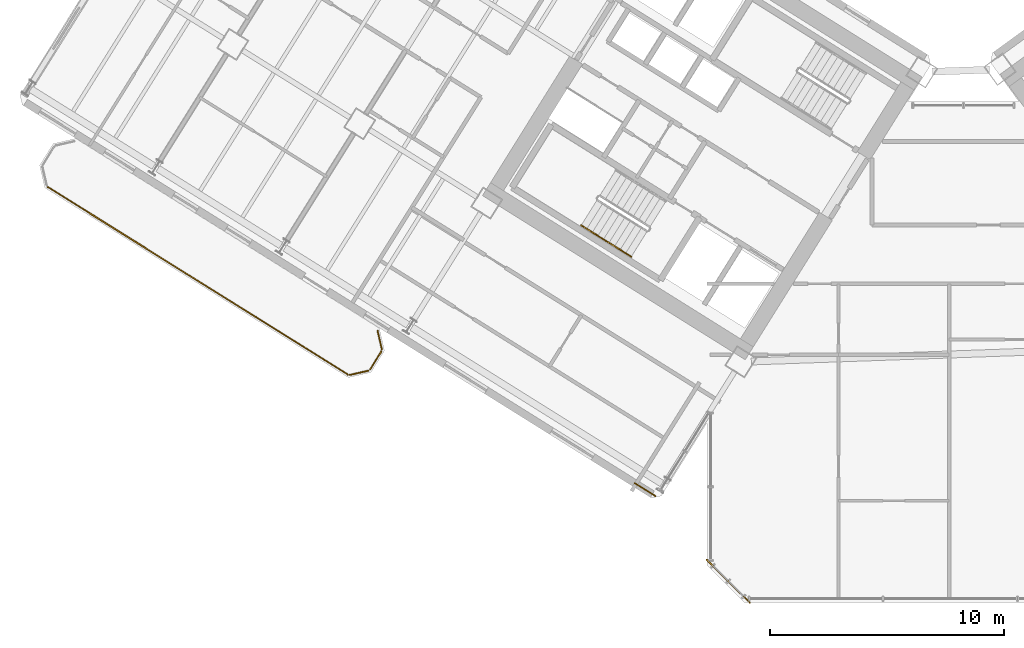
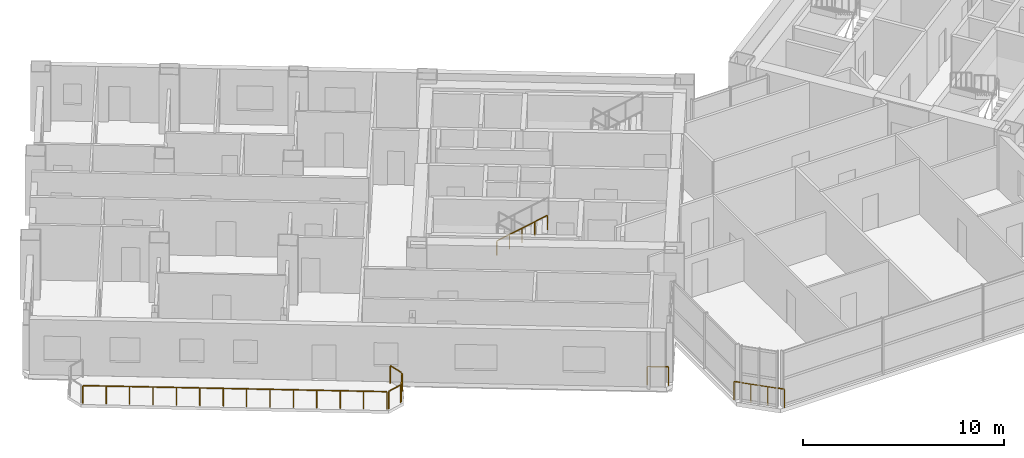
# One storey, part 21 of 24: 8 railings.
"""IFC4 building model written with IfcOpenShell, lengths in metres."""

from ifc_helpers import new_model, si_unit, direction, frame, origin, origin_2d, place, context, subcontext, project, spatial, rectangle, extrude, source, transform, mapped, material, type_object, element, save


model = new_model("IFC4")

# Units and contexts
model_context = context("Model", 3, precision=1e-05, world=origin(), true_north=direction((0.0, 1.0)))
body_context = subcontext(model_context, "Body", "Model", "MODEL_VIEW")
ifc_project = project(units=[si_unit("LENGTHUNIT", "METRE"), si_unit("AREAUNIT", "SQUARE_METRE"), si_unit("VOLUMEUNIT", "CUBIC_METRE"), si_unit("PLANEANGLEUNIT", "RADIAN"), si_unit("MASSUNIT", "GRAM", prefix="KILO")], contexts=[model_context])

# Site, building, storey
site_placement = place(None, origin())
site = spatial("IfcSite", under=ifc_project, at=site_placement, CompositionType="ELEMENT")
building_placement = place(site_placement, origin())
building = spatial("IfcBuilding", under=site, at=building_placement, Name="Tlacorven Tower", CompositionType="ELEMENT")
storey_placement = place(building_placement, frame((0.0, 0.0, 45.60009765625)))
storey = spatial("IfcBuildingStorey", under=building, at=storey_placement, Name="L11", CompositionType="ELEMENT", Elevation=45.60009765625)

# Railings
ifc_material = material(Name="Aluminium and painted steel balustrade", Category="steel")
railing_type_1 = type_object("IfcRailingType", Name="RL-BAL-1100", PredefinedType="BALUSTRADE", material=ifc_material)
shared_shape_1 = source(origin(), body_context, "Body", "SweptSolid", [
    extrude(rectangle(XDim=0.048095703125, YDim=0.048095703125, at=origin_2d()), frame((0.0, 0.0, 1.076171875), z_axis=(0.225058334816, -0.974345290916, 0.0), x_axis=(0.974345290916, 0.225058334816, 0.0)), (0.0, 0.0, 1.0), 0.80712890625),
    extrude(rectangle(XDim=0.0419921875, YDim=0.0419921875, at=origin_2d()), origin(), (0.0, 0.0, 1.0), 1.052001953125),
    extrude(rectangle(XDim=0.0419921875, YDim=0.0419921875, at=origin_2d()), frame((0.181640625, -0.786376953125, 0.0)), (0.0, 0.0, 1.0), 1.052001953125),
])
railing_1_placement = place(storey_placement, frame((17.5244140625, 13.413330078125, 0.0)))
element("IfcRailing", 1, at=railing_1_placement, inside=storey, type_object=railing_type_1, Name="BAL-L11-W-OUT Guard Railing 1", PredefinedType="BALUSTRADE", context=body_context, shape_type="MappedRepresentation", body=[
    mapped(shared_shape_1, transform((0.0, 0.0, 0.0), scale=1.0)),
])
shared_shape_2 = source(origin(), body_context, "Body", "SweptSolid", [
    extrude(rectangle(XDim=0.048095703125, YDim=0.048095703125, at=origin_2d()), frame((0.0, 0.0, 1.076171875), z_axis=(-0.52987865805, -0.848073468364, 0.0), x_axis=(0.848073468364, -0.52987865805, 0.0)), (0.0, 0.0, 1.0), 0.912353515625),
    extrude(rectangle(XDim=0.0419921875, YDim=0.0419921875, at=origin_2d()), origin(), (0.0, 0.0, 1.0), 1.052001953125),
    extrude(rectangle(XDim=0.0419921875, YDim=0.0419921875, at=origin_2d()), frame((-0.4833984375, -0.773681640625, 0.0)), (0.0, 0.0, 1.0), 1.052001953125),
])
railing_2_placement = place(storey_placement, frame((17.690673828125, 12.535888671875, 0.0)))
element("IfcRailing", 2, at=railing_2_placement, inside=storey, type_object=railing_type_1, Name="BAL-L11-W-OUT Guard Railing 2", PredefinedType="BALUSTRADE", context=body_context, shape_type="MappedRepresentation", body=[
    mapped(shared_shape_2, transform((0.0, 0.0, 0.0), scale=1.0)),
])
shared_shape_3 = source(origin(), body_context, "Body", "SweptSolid", [
    extrude(rectangle(XDim=0.048095703125, YDim=0.048095703125, at=origin_2d()), frame((0.0, 0.0, 1.076171875), z_axis=(-0.974411586182, -0.224771129628, 0.0), x_axis=(0.224771129628, -0.974411586182, 0.0)), (0.0, 0.0, 1.0), 0.80712890625),
    extrude(rectangle(XDim=0.0419921875, YDim=0.0419921875, at=origin_2d()), origin(), (0.0, 0.0, 1.0), 1.052001953125),
    extrude(rectangle(XDim=0.0419921875, YDim=0.0419921875, at=origin_2d()), frame((-0.786376953125, -0.181396484375, 0.0)), (0.0, 0.0, 1.0), 1.052001953125),
])
railing_3_placement = place(storey_placement, frame((17.132080078125, 11.70849609375, 0.0)))
element("IfcRailing", 3, at=railing_3_placement, inside=storey, type_object=railing_type_1, Name="BAL-L11-W-OUT Guard Railing 3", PredefinedType="BALUSTRADE", context=body_context, shape_type="MappedRepresentation", body=[
    mapped(shared_shape_3, transform((0.0, 0.0, 0.0), scale=1.0)),
])
shared_shape_4 = source(origin(), body_context, "Body", "SweptSolid", [
    extrude(rectangle(XDim=0.048095703125, YDim=0.048095703125, at=origin_2d()), frame((0.0, 0.0, 1.076171875), z_axis=(-0.848044572804, 0.529924902733, 0.0), x_axis=(-0.529924902733, -0.848044572804, 0.0)), (0.0, 0.0, 1.0), 15.1171875),
    extrude(rectangle(XDim=0.0419921875, YDim=0.0419921875, at=origin_2d()), origin(), (0.0, 0.0, 1.0), 1.052001953125),
    extrude(rectangle(XDim=0.0419921875, YDim=0.0419921875, at=origin_2d()), frame((-0.986083984375, 0.6162109375, 0.0)), (0.0, 0.0, 1.0), 1.052001953125),
    extrude(rectangle(XDim=0.0419921875, YDim=0.0419921875, at=origin_2d()), frame((-1.972412109375, 1.232421875, 0.0)), (0.0, 0.0, 1.0), 1.052001953125),
    extrude(rectangle(XDim=0.0419921875, YDim=0.0419921875, at=origin_2d()), frame((-2.95849609375, 1.8486328125, 0.0)), (0.0, 0.0, 1.0), 1.052001953125),
    extrude(rectangle(XDim=0.0419921875, YDim=0.0419921875, at=origin_2d()), frame((-3.944580078125, 2.46484375, 0.0)), (0.0, 0.0, 1.0), 1.052001953125),
    extrude(rectangle(XDim=0.0419921875, YDim=0.0419921875, at=origin_2d()), frame((-4.930908203125, 3.0810546875, 0.0)), (0.0, 0.0, 1.0), 1.052001953125),
    extrude(rectangle(XDim=0.0419921875, YDim=0.0419921875, at=origin_2d()), frame((-5.9169921875, 3.697265625, 0.0)), (0.0, 0.0, 1.0), 1.052001953125),
    extrude(rectangle(XDim=0.0419921875, YDim=0.0419921875, at=origin_2d()), frame((-6.903076171875, 4.313720703125, 0.0)), (0.0, 0.0, 1.0), 1.052001953125),
    extrude(rectangle(XDim=0.0419921875, YDim=0.0419921875, at=origin_2d()), frame((-7.88916015625, 4.929931640625, 0.0)), (0.0, 0.0, 1.0), 1.052001953125),
    extrude(rectangle(XDim=0.0419921875, YDim=0.0419921875, at=origin_2d()), frame((-8.87548828125, 5.546142578125, 0.0)), (0.0, 0.0, 1.0), 1.052001953125),
    extrude(rectangle(XDim=0.0419921875, YDim=0.0419921875, at=origin_2d()), frame((-9.861572265625, 6.162353515625, 0.0)), (0.0, 0.0, 1.0), 1.052001953125),
    extrude(rectangle(XDim=0.0419921875, YDim=0.0419921875, at=origin_2d()), frame((-10.84765625, 6.778564453125, 0.0)), (0.0, 0.0, 1.0), 1.052001953125),
    extrude(rectangle(XDim=0.0419921875, YDim=0.0419921875, at=origin_2d()), frame((-11.833984375, 7.394775390625, 0.0)), (0.0, 0.0, 1.0), 1.052001953125),
    extrude(rectangle(XDim=0.0419921875, YDim=0.0419921875, at=origin_2d()), frame((-12.820068359375, 8.010986328125, 0.0)), (0.0, 0.0, 1.0), 1.052001953125),
])
railing_4_placement = place(storey_placement, frame((16.254638671875, 11.542236328125, 0.0)))
element("IfcRailing", 4, at=railing_4_placement, inside=storey, type_object=railing_type_1, Name="BAL-L11-W-OUT Guard Railing 4", PredefinedType="BALUSTRADE", context=body_context, shape_type="MappedRepresentation", body=[
    mapped(shared_shape_4, transform((0.0, 0.0, 0.0), scale=1.0)),
])
railing_type_2 = type_object("IfcRailingType", Name="RL-GRD-1150", PredefinedType="GUARDRAIL", material=ifc_material)
shared_shape_5 = source(origin(), body_context, "Body", "SweptSolid", [
    extrude(rectangle(XDim=0.048095703125, YDim=0.048095703125, at=origin_2d()), frame((0.0, 0.0, 1.1259765625), z_axis=(-0.707106781187, 0.707106781187, 0.0), x_axis=(-0.707106781187, -0.707106781187, 0.0)), (0.0, 0.0, 1.0), 2.590087890625),
    extrude(rectangle(XDim=0.0419921875, YDim=0.0419921875, at=origin_2d()), origin(), (0.0, 0.0, 1.0), 1.101806640625),
    extrude(rectangle(XDim=0.0419921875, YDim=0.0419921875, at=origin_2d()), frame((-0.610595703125, 0.610595703125, 0.0)), (0.0, 0.0, 1.0), 1.101806640625),
    extrude(rectangle(XDim=0.0419921875, YDim=0.0419921875, at=origin_2d()), frame((-1.220947265625, 1.220947265625, 0.0)), (0.0, 0.0, 1.0), 1.101806640625),
    extrude(rectangle(XDim=0.0419921875, YDim=0.0419921875, at=origin_2d()), frame((-1.83154296875, 1.83154296875, 0.0)), (0.0, 0.0, 1.0), 1.101806640625),
])
railing_5_placement = place(storey_placement, frame((33.428955078125, 1.79736328125, 0.0)))
element("IfcRailing", 5, at=railing_5_placement, inside=storey, type_object=railing_type_2, Name="L11 Knuckle Glazed Sill Guard 1", PredefinedType="GUARDRAIL", context=body_context, shape_type="MappedRepresentation", body=[
    mapped(shared_shape_5, transform((0.0, 0.0, 0.0), scale=1.0)),
])
shared_shape_6 = source(origin(), body_context, "Body", "SweptSolid", [
    extrude(rectangle(XDim=0.048095703125, YDim=0.048095703125, at=origin_2d()), frame((0.0, 0.0, 1.1259765625), z_axis=(-0.848102774857, 0.529831749973, 0.0), x_axis=(-0.529831749973, -0.848102774857, 0.0)), (0.0, 0.0, 1.0), 1.050048828125),
    extrude(rectangle(XDim=0.0419921875, YDim=0.0419921875, at=origin_2d()), origin(), (0.0, 0.0, 1.0), 1.101806640625),
    extrude(rectangle(XDim=0.0419921875, YDim=0.0419921875, at=origin_2d()), frame((-0.890625, 0.556396484375, 0.0)), (0.0, 0.0, 1.0), 1.101806640625),
])
railing_6_placement = place(storey_placement, frame((29.39501953125, 6.35009765625, 0.0)))
element("IfcRailing", 6, at=railing_6_placement, inside=storey, type_object=railing_type_2, Name="L11 Knuckle Glazed Sill Guard 2", PredefinedType="GUARDRAIL", context=body_context, shape_type="MappedRepresentation", body=[
    mapped(shared_shape_6, transform((0.0, 0.0, 0.0), scale=1.0)),
])
railing_type_3 = type_object("IfcRailingType", Name="RL-HND-0900", PredefinedType="HANDRAIL", material=ifc_material)
shared_shape_7 = source(origin(), body_context, "Body", "SweptSolid", [
    extrude(rectangle(XDim=0.048095703125, YDim=0.048095703125, at=origin_2d()), frame((0.0, 0.0, 0.8759765625), z_axis=(0.713279695859, -0.445799809912, 0.540827703579), x_axis=(0.529998940003, 0.847998304005, 0.0)), (0.0, 0.0, 1.0), 1.497802734375),
    extrude(rectangle(XDim=0.0419921875, YDim=0.0419921875, at=origin_2d()), origin(), (0.0, 0.0, 1.0), 0.851806640625),
    extrude(rectangle(XDim=0.0419921875, YDim=0.0419921875, at=origin_2d()), frame((0.5341796875, -0.333984375, 0.405029296875)), (0.0, 0.0, 1.0), 0.851806640625),
    extrude(rectangle(XDim=0.0419921875, YDim=0.0419921875, at=origin_2d()), frame((1.068359375, -0.667724609375, 0.81005859375)), (0.0, 0.0, 1.0), 0.851806640625),
])
railing_7_placement = place(storey_placement, frame((27.29736328125, 17.24755859375, 2.789794921875)))
element("IfcRailing", 7, at=railing_7_placement, inside=storey, type_object=railing_type_3, Name="L11 ST-W1 stair handrail 4", PredefinedType="HANDRAIL", context=body_context, shape_type="MappedRepresentation", body=[
    mapped(shared_shape_7, transform((0.0, 0.0, 0.0), scale=1.0)),
])
shared_shape_8 = source(origin(), body_context, "Body", "SweptSolid", [
    extrude(rectangle(XDim=0.048095703125, YDim=0.048095703125, at=origin_2d()), frame((0.0, 0.0, 0.8759765625), z_axis=(0.713422621445, -0.445787267455, 0.540649494022), x_axis=(0.529911857636, 0.848052724267, 0.0)), (0.0, 0.0, 1.0), 1.497802734375),
    extrude(rectangle(XDim=0.0419921875, YDim=0.0419921875, at=origin_2d()), origin(), (0.0, 0.0, 1.0), 0.851806640625),
    extrude(rectangle(XDim=0.0419921875, YDim=0.0419921875, at=origin_2d()), frame((0.5341796875, -0.333984375, 0.40478515625)), (0.0, 0.0, 1.0), 0.851806640625),
    extrude(rectangle(XDim=0.0419921875, YDim=0.0419921875, at=origin_2d()), frame((1.068603515625, -0.667724609375, 0.809814453125)), (0.0, 0.0, 1.0), 0.851806640625),
])
railing_8_placement = place(storey_placement, frame((26.228759765625, 17.915283203125, 1.97998046875)))
element("IfcRailing", 8, at=railing_8_placement, inside=storey, type_object=railing_type_3, Name="L11 ST-W1 stair handrail 3", PredefinedType="HANDRAIL", context=body_context, shape_type="MappedRepresentation", body=[
    mapped(shared_shape_8, transform((0.0, 0.0, 0.0), scale=1.0)),
])

save(model, "model.ifc")
